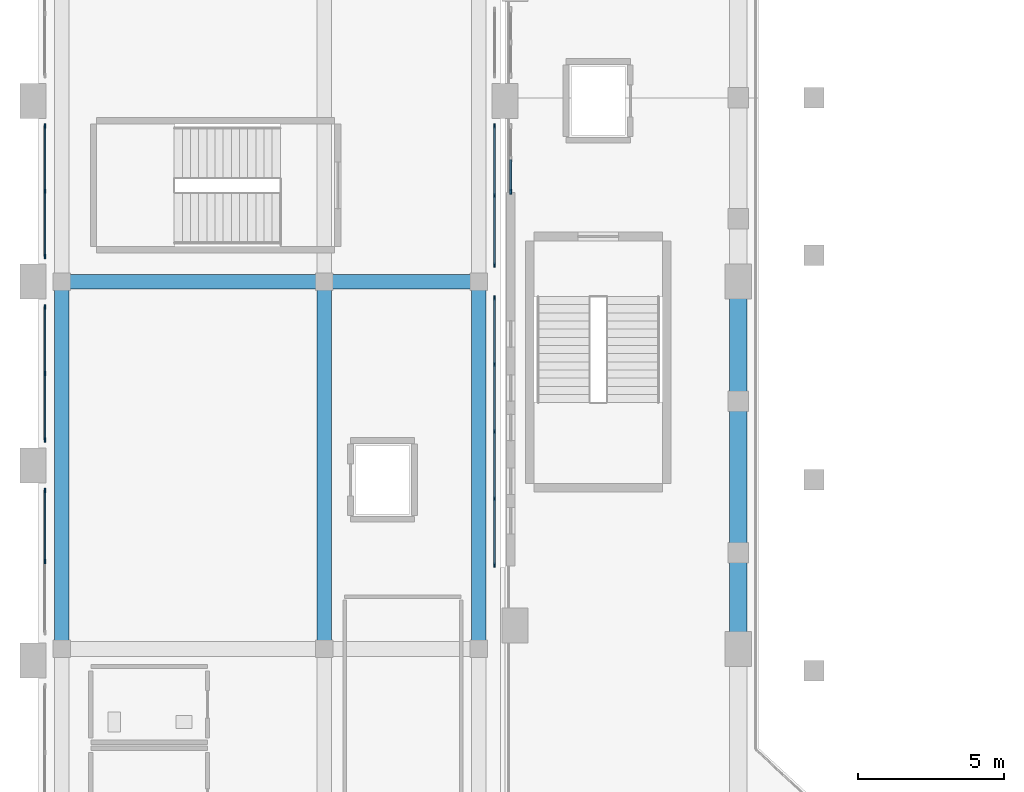
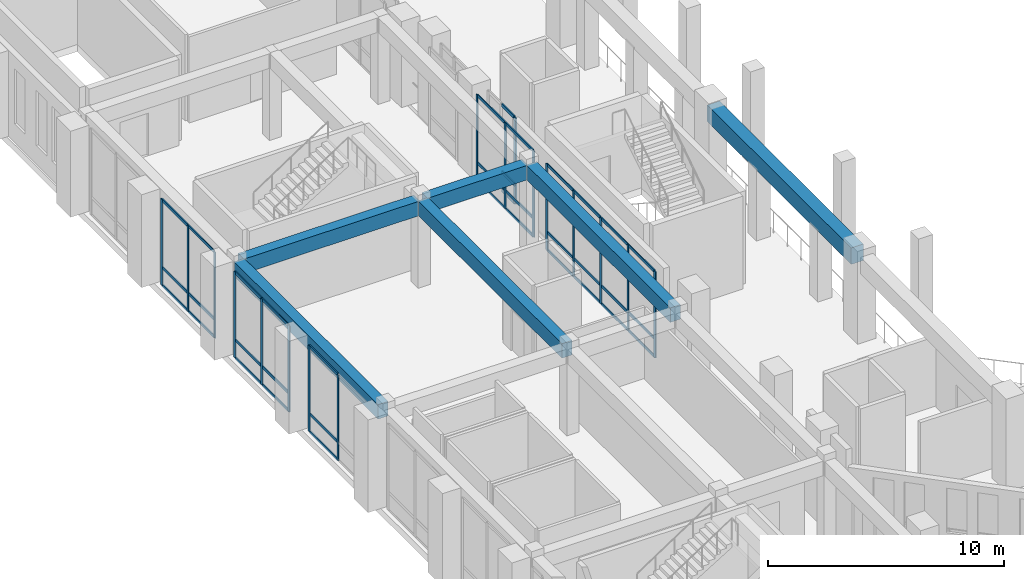
# One storey, part 24 of 126: 53 members, 6 beams, 6 elements without a shape of their own.
"""IFC4 building model written with IfcOpenShell, lengths in metres."""

from ifc_helpers import new_model, si_unit, derived_unit, direction, frame, origin, origin_2d, place, context, subcontext, project, spatial, rectangle, extrude, material, layer, layer_set, material_profile, profile_set, type_object, element, aggregate, save


model = new_model("IFC4")

# Units and contexts
model_context = context("Model", 3, precision=1e-05, world=origin(), true_north=direction((0.0, 1.0)))
body_context = subcontext(model_context, "Body", "Model", "MODEL_VIEW")
ifc_project = project(units=[si_unit("LENGTHUNIT", "METRE"), si_unit("AREAUNIT", "SQUARE_METRE"), si_unit("VOLUMEUNIT", "CUBIC_METRE"), si_unit("PLANEANGLEUNIT", "RADIAN"), si_unit("MASSUNIT", "GRAM", prefix="KILO"), derived_unit("THERMALTRANSMITTANCEUNIT", [(si_unit("MASSUNIT", "GRAM", prefix="KILO"), 1), (si_unit("TIMEUNIT", "SECOND"), -3), (si_unit("THERMODYNAMICTEMPERATUREUNIT", "KELVIN"), -1)])], contexts=[model_context])

# Site, building, storey
site_placement = place(None, origin())
site = spatial("IfcSite", under=ifc_project, at=site_placement, CompositionType="ELEMENT")
building_placement = place(site_placement, origin())
building = spatial("IfcBuilding", under=site, at=building_placement, Name="Valcora Ridge Arena", CompositionType="ELEMENT")
storey_placement = place(building_placement, frame((0.0, 0.0, 11.39990234375)))
storey = spatial("IfcBuildingStorey", under=building, at=storey_placement, Name="L02", CompositionType="ELEMENT", Elevation=11.39990234375)

# Beams
ifc_material_1 = material(Name="Concrete C40/50", Category="concrete")
ifc_material_profile_1 = material_profile(ifc_material_1, rectangle(XDim=0.5, YDim=0.75, at=origin_2d()), Name="RC 500x750")
ifc_profile_set_1 = profile_set([ifc_material_profile_1], Name="Concrete C40/50")
beam_type_1 = type_object("IfcBeamType", Name="TY-BEAM-B-RC500-X", PredefinedType="BEAM", material=ifc_profile_set_1)
beam_1_placement = place(storey_placement, frame((1.0, 57.800048828125, 4.0751953125), z_axis=(1.0, 0.0, 0.0), x_axis=(0.0, 1.0, 0.0)))
element("IfcBeam", 1, at=beam_1_placement, inside=storey, type_object=beam_type_1, Name="B-RC500-X BEM-B-RC500-X-0071", PredefinedType="BEAM", context=body_context, shape_type="SweptSolid", body=[
    extrude(rectangle(XDim=0.5, YDim=0.75, at=origin_2d()), origin(), (0.0, 0.0, 1.0), 8.60009765625),
])
beam_2_placement = place(storey_placement, frame((10.0, 57.800048828125, 4.0751953125), z_axis=(1.0, 0.0, 0.0), x_axis=(0.0, 1.0, 0.0)))
element("IfcBeam", 2, at=beam_2_placement, inside=storey, type_object=beam_type_1, Name="B-RC500-X BEM-B-RC500-X-0072", PredefinedType="BEAM", context=body_context, shape_type="SweptSolid", body=[
    extrude(rectangle(XDim=0.5, YDim=0.75, at=origin_2d()), origin(), (0.0, 0.0, 1.0), 4.89990234375),
])
ifc_material_profile_2 = material_profile(ifc_material_1, rectangle(XDim=0.5, YDim=0.75, at=origin_2d()), Name="RC 500x750")
ifc_profile_set_2 = profile_set([ifc_material_profile_2], Name="Concrete C40/50")
beam_type_2 = type_object("IfcBeamType", Name="TY-BEAM-B-RC500-Y", PredefinedType="BEAM", material=ifc_profile_set_2)
for number, where, z_axis, x_axis, name in (
    (3, (0.800048828125, 45.39990234375, 4.0751953125), (0.0, 1.0, 0.0), (-1.0, 0.0, 0.0), "B-RC500-Y BEM-B-RC500-Y-0071"),
    (4, (9.800048828125, 45.39990234375, 4.0751953125), (0.0, 1.0, 0.0), (-1.0, 0.0, 0.0), "B-RC500-Y BEM-B-RC500-Y-0077"),
    (5, (15.10009765625, 45.39990234375, 4.0751953125), (0.0, 1.0, 0.0), (-1.0, 0.0, 0.0), "B-RC500-Y BEM-B-RC500-Y-0082"),
):
    element("IfcBeam", number, at=place(storey_placement, frame(where, z_axis=z_axis, x_axis=x_axis)), inside=storey, type_object=beam_type_2, Name=name, PredefinedType="BEAM", context=body_context, shape_type="SweptSolid", body=[
        extrude(rectangle(XDim=0.5, YDim=0.75, at=origin_2d()), origin(), (0.0, 0.0, 1.0), 12.2001953125),
    ])
ifc_material_profile_3 = material_profile(ifc_material_1, rectangle(XDim=0.60009765625, YDim=0.85009765625, at=origin_2d()), Name="RC 600x850")
ifc_profile_set_3 = profile_set([ifc_material_profile_3], Name="Concrete C40/50")
beam_type_3 = type_object("IfcBeamType", Name="TY-BEAM-B-RC600-Y", PredefinedType="BEAM", material=ifc_profile_set_3)
beam_3_placement = place(storey_placement, frame((24.0, 45.39990234375, 4.025146484375), z_axis=(0.0, 1.0, 0.0), x_axis=(-1.0, 0.0, 0.0)))
element("IfcBeam", 6, at=beam_3_placement, inside=storey, type_object=beam_type_3, Name="B-RC600-Y BEM-B-RC600-Y-0017", PredefinedType="BEAM", context=body_context, shape_type="SweptSolid", body=[
    extrude(rectangle(XDim=0.60009765625, YDim=0.85009765625, at=origin_2d()), origin(), (0.0, 0.0, 1.0), 12.2001953125),
])

# Curtain wall, members
ifc_material_2 = material(Name="Anodised dark bronze architectural aluminium 6063-T6", Category="aluminium")
ifc_layer_1 = layer(ifc_material_2, 0.14990234375, Name="Anodised dark bronze architectural aluminium 6063-T6")
ifc_layer_set_1 = layer_set([ifc_layer_1], Name="Anodised dark bronze architectural aluminium 6063-T6")
curtain_wall_type_1 = type_object("IfcCurtainWallType", Name="TY-CURTAINWALL-CW-V4-CLUB-049X44", PredefinedType="NOTDEFINED", material=ifc_layer_set_1)
curtain_wall_1_placement = place(storey_placement, origin())
curtain_wall_1 = element("IfcCurtainWall", 7, at=curtain_wall_1_placement, inside=storey, type_object=curtain_wall_type_1, Name="CW-V4-CLUB-049X44 CW-0259", PredefinedType="NOTDEFINED")
ifc_material_profile_4 = material_profile(ifc_material_2, rectangle(XDim=0.050048828125, YDim=0.14990234375, at=origin_2d()), Name="ALU MULLION 50x150")
ifc_profile_set_4 = profile_set([ifc_material_profile_4], Name="Anodised dark bronze architectural aluminium 6063-T6")
member_type_1 = type_object("IfcMemberType", Name="TY-MEM-CWM-50x150", PredefinedType="MULLION", material=ifc_profile_set_4)
member_1_placement = place(storey_placement, frame((0.219970703125, 48.199951171875, 0.0), z_axis=(0.0, 0.0, 1.0), x_axis=(-1.0, 0.0, 0.0)))
member_1 = element("IfcMember", 8, at=member_1_placement, type_object=member_type_1, Name="CW-0259/CWM-50x150/M01", PredefinedType="MULLION", context=body_context, shape_type="SweptSolid", body=[
    extrude(rectangle(XDim=0.050048828125, YDim=0.14990234375, at=origin_2d()), origin(), (0.0, 0.0, 1.0), 4.4501953125),
])
member_2_placement = place(storey_placement, frame((0.219970703125, 50.635009765625, 0.0), z_axis=(0.0, 0.0, 1.0), x_axis=(-1.0, 0.0, 0.0)))
member_2 = element("IfcMember", 9, at=member_2_placement, type_object=member_type_1, Name="CW-0259/CWM-50x150/M02", PredefinedType="MULLION", context=body_context, shape_type="SweptSolid", body=[
    extrude(rectangle(XDim=0.050048828125, YDim=0.14990234375, at=origin_2d()), origin(), (0.0, 0.0, 1.0), 4.4501953125),
])

ifc_layer_2 = layer(ifc_material_2, 0.14990234375, Name="Anodised dark bronze architectural aluminium 6063-T6")
ifc_layer_set_2 = layer_set([ifc_layer_2], Name="Anodised dark bronze architectural aluminium 6063-T6")
curtain_wall_type_2 = type_object("IfcCurtainWallType", Name="TY-CURTAINWALL-CW-V4-CLUB-046X44", PredefinedType="NOTDEFINED", material=ifc_layer_set_2)
curtain_wall_2_placement = place(storey_placement, origin())
curtain_wall_2 = element("IfcCurtainWall", 10, at=curtain_wall_2_placement, inside=storey, type_object=curtain_wall_type_2, Name="CW-V4-CLUB-046X44 CW-0260", PredefinedType="NOTDEFINED")
member_3_placement = place(storey_placement, frame((0.219970703125, 52.364990234375, 0.0), z_axis=(0.0, 0.0, 1.0), x_axis=(-1.0, 0.0, 0.0)))
member_3 = element("IfcMember", 11, at=member_3_placement, type_object=member_type_1, Name="CW-0260/CWM-50x150/M00", PredefinedType="MULLION", context=body_context, shape_type="SweptSolid", body=[
    extrude(rectangle(XDim=0.050048828125, YDim=0.14990234375, at=origin_2d()), origin(), (0.0, 0.0, 1.0), 4.4501953125),
])
member_4_placement = place(storey_placement, frame((0.219970703125, 54.64990234375, 0.0), z_axis=(0.0, 0.0, 1.0), x_axis=(-1.0, 0.0, 0.0)))
member_4 = element("IfcMember", 12, at=member_4_placement, type_object=member_type_1, Name="CW-0260/CWM-50x150/M01", PredefinedType="MULLION", context=body_context, shape_type="SweptSolid", body=[
    extrude(rectangle(XDim=0.050048828125, YDim=0.14990234375, at=origin_2d()), origin(), (0.0, 0.0, 1.0), 4.4501953125),
])
member_5_placement = place(storey_placement, frame((0.219970703125, 56.93505859375, 0.0), z_axis=(0.0, 0.0, 1.0), x_axis=(-1.0, 0.0, 0.0)))
member_5 = element("IfcMember", 13, at=member_5_placement, type_object=member_type_1, Name="CW-0260/CWM-50x150/M02", PredefinedType="MULLION", context=body_context, shape_type="SweptSolid", body=[
    extrude(rectangle(XDim=0.050048828125, YDim=0.14990234375, at=origin_2d()), origin(), (0.0, 0.0, 1.0), 4.4501953125),
])

ifc_layer_3 = layer(ifc_material_2, 0.14990234375, Name="Anodised dark bronze architectural aluminium 6063-T6")
ifc_layer_set_3 = layer_set([ifc_layer_3], Name="Anodised dark bronze architectural aluminium 6063-T6")
curtain_wall_type_3 = type_object("IfcCurtainWallType", Name="TY-CURTAINWALL-CW-V4-CLUB-045X44", PredefinedType="NOTDEFINED", material=ifc_layer_set_3)
curtain_wall_3_placement = place(storey_placement, origin())
curtain_wall_3 = element("IfcCurtainWall", 14, at=curtain_wall_3_placement, inside=storey, type_object=curtain_wall_type_3, Name="CW-V4-CLUB-045X44 CW-0261", PredefinedType="NOTDEFINED")
member_6_placement = place(storey_placement, frame((0.219970703125, 58.6650390625, 0.0), z_axis=(0.0, 0.0, 1.0), x_axis=(-1.0, 0.0, 0.0)))
member_6 = element("IfcMember", 15, at=member_6_placement, type_object=member_type_1, Name="CW-0261/CWM-50x150/M00", PredefinedType="MULLION", context=body_context, shape_type="SweptSolid", body=[
    extrude(rectangle(XDim=0.050048828125, YDim=0.14990234375, at=origin_2d()), origin(), (0.0, 0.0, 1.0), 4.4501953125),
])
member_7_placement = place(storey_placement, frame((0.219970703125, 60.89990234375, 0.0), z_axis=(0.0, 0.0, 1.0), x_axis=(-1.0, 0.0, 0.0)))
member_7 = element("IfcMember", 16, at=member_7_placement, type_object=member_type_1, Name="CW-0261/CWM-50x150/M01", PredefinedType="MULLION", context=body_context, shape_type="SweptSolid", body=[
    extrude(rectangle(XDim=0.050048828125, YDim=0.14990234375, at=origin_2d()), origin(), (0.0, 0.0, 1.0), 4.4501953125),
])
member_8_placement = place(storey_placement, frame((0.219970703125, 63.135009765625, 0.0), z_axis=(0.0, 0.0, 1.0), x_axis=(-1.0, 0.0, 0.0)))
member_8 = element("IfcMember", 17, at=member_8_placement, type_object=member_type_1, Name="CW-0261/CWM-50x150/M02", PredefinedType="MULLION", context=body_context, shape_type="SweptSolid", body=[
    extrude(rectangle(XDim=0.050048828125, YDim=0.14990234375, at=origin_2d()), origin(), (0.0, 0.0, 1.0), 4.4501953125),
])

ifc_layer_4 = layer(ifc_material_2, 0.14990234375, Name="Anodised dark bronze architectural aluminium 6063-T6")
ifc_layer_set_4 = layer_set([ifc_layer_4], Name="Anodised dark bronze architectural aluminium 6063-T6")
curtain_wall_type_4 = type_object("IfcCurtainWallType", Name="TY-CURTAINWALL-CW-V4-CLUB-092X44", PredefinedType="NOTDEFINED", material=ifc_layer_set_4)
curtain_wall_4_placement = place(storey_placement, origin())
curtain_wall_4 = element("IfcCurtainWall", 18, at=curtain_wall_4_placement, inside=storey, type_object=curtain_wall_type_4, Name="CW-V4-CLUB-092X44 CW-0263", PredefinedType="NOTDEFINED")
member_9_placement = place(storey_placement, frame((15.64990234375, 48.074951171875, 0.0), z_axis=(0.0, 0.0, 1.0), x_axis=(-1.0, 0.0, 0.0)))
member_9 = element("IfcMember", 19, at=member_9_placement, type_object=member_type_1, Name="CW-0263/CWM-50x150/M00", PredefinedType="MULLION", context=body_context, shape_type="SweptSolid", body=[
    extrude(rectangle(XDim=0.050048828125, YDim=0.14990234375, at=origin_2d()), origin(), (0.0, 0.0, 1.0), 4.4501953125),
])
member_10_placement = place(storey_placement, frame((15.64990234375, 50.3525390625, 0.0), z_axis=(0.0, 0.0, 1.0), x_axis=(-1.0, 0.0, 0.0)))
member_10 = element("IfcMember", 20, at=member_10_placement, type_object=member_type_1, Name="CW-0263/CWM-50x150/M01", PredefinedType="MULLION", context=body_context, shape_type="SweptSolid", body=[
    extrude(rectangle(XDim=0.050048828125, YDim=0.14990234375, at=origin_2d()), origin(), (0.0, 0.0, 1.0), 4.4501953125),
])
member_11_placement = place(storey_placement, frame((15.64990234375, 52.655029296875, 0.0), z_axis=(0.0, 0.0, 1.0), x_axis=(-1.0, 0.0, 0.0)))
member_11 = element("IfcMember", 21, at=member_11_placement, type_object=member_type_1, Name="CW-0263/CWM-50x150/M02", PredefinedType="MULLION", context=body_context, shape_type="SweptSolid", body=[
    extrude(rectangle(XDim=0.050048828125, YDim=0.14990234375, at=origin_2d()), origin(), (0.0, 0.0, 1.0), 4.4501953125),
])
member_12_placement = place(storey_placement, frame((15.64990234375, 54.95751953125, 0.0), z_axis=(0.0, 0.0, 1.0), x_axis=(-1.0, 0.0, 0.0)))
member_12 = element("IfcMember", 22, at=member_12_placement, type_object=member_type_1, Name="CW-0263/CWM-50x150/M03", PredefinedType="MULLION", context=body_context, shape_type="SweptSolid", body=[
    extrude(rectangle(XDim=0.050048828125, YDim=0.14990234375, at=origin_2d()), origin(), (0.0, 0.0, 1.0), 4.4501953125),
])
member_13_placement = place(storey_placement, frame((15.64990234375, 57.235107421875, 0.0), z_axis=(0.0, 0.0, 1.0), x_axis=(-1.0, 0.0, 0.0)))
member_13 = element("IfcMember", 23, at=member_13_placement, type_object=member_type_1, Name="CW-0263/CWM-50x150/M04", PredefinedType="MULLION", context=body_context, shape_type="SweptSolid", body=[
    extrude(rectangle(XDim=0.050048828125, YDim=0.14990234375, at=origin_2d()), origin(), (0.0, 0.0, 1.0), 4.4501953125),
])

ifc_layer_5 = layer(ifc_material_2, 0.14990234375, Name="Anodised dark bronze architectural aluminium 6063-T6")
ifc_layer_set_5 = layer_set([ifc_layer_5], Name="Anodised dark bronze architectural aluminium 6063-T6")
curtain_wall_type_5 = type_object("IfcCurtainWallType", Name="TY-CURTAINWALL-CW-V4-CLUB-048X44", PredefinedType="NOTDEFINED", material=ifc_layer_set_5)
curtain_wall_5_placement = place(storey_placement, origin())
curtain_wall_5 = element("IfcCurtainWall", 24, at=curtain_wall_5_placement, inside=storey, type_object=curtain_wall_type_5, Name="CW-V4-CLUB-048X44 CW-0264", PredefinedType="NOTDEFINED")
member_14_placement = place(storey_placement, frame((15.64990234375, 58.364990234375, 0.0), z_axis=(0.0, 0.0, 1.0), x_axis=(-1.0, 0.0, 0.0)))
member_14 = element("IfcMember", 25, at=member_14_placement, type_object=member_type_1, Name="CW-0264/CWM-50x150/M00", PredefinedType="MULLION", context=body_context, shape_type="SweptSolid", body=[
    extrude(rectangle(XDim=0.050048828125, YDim=0.14990234375, at=origin_2d()), origin(), (0.0, 0.0, 1.0), 4.4501953125),
])
member_15_placement = place(storey_placement, frame((15.64990234375, 60.75, 0.0), z_axis=(0.0, 0.0, 1.0), x_axis=(-1.0, 0.0, 0.0)))
member_15 = element("IfcMember", 26, at=member_15_placement, type_object=member_type_1, Name="CW-0264/CWM-50x150/M01", PredefinedType="MULLION", context=body_context, shape_type="SweptSolid", body=[
    extrude(rectangle(XDim=0.050048828125, YDim=0.14990234375, at=origin_2d()), origin(), (0.0, 0.0, 1.0), 4.4501953125),
])
member_16_placement = place(storey_placement, frame((15.64990234375, 63.135009765625, 0.0), z_axis=(0.0, 0.0, 1.0), x_axis=(-1.0, 0.0, 0.0)))
member_16 = element("IfcMember", 27, at=member_16_placement, type_object=member_type_1, Name="CW-0264/CWM-50x150/M02", PredefinedType="MULLION", context=body_context, shape_type="SweptSolid", body=[
    extrude(rectangle(XDim=0.050048828125, YDim=0.14990234375, at=origin_2d()), origin(), (0.0, 0.0, 1.0), 4.4501953125),
])

# Curtain wall, member
ifc_layer_6 = layer(ifc_material_2, 0.179931640625, Name="Anodised dark bronze architectural aluminium 6063-T6")
ifc_layer_set_6 = layer_set([ifc_layer_6], Name="Anodised dark bronze architectural aluminium 6063-T6")
curtain_wall_type_6 = type_object("IfcCurtainWallType", Name="TY-CURTAINWALL-CW-V1-GOTH-023X44", PredefinedType="NOTDEFINED", material=ifc_layer_set_6)
curtain_wall_6_placement = place(storey_placement, origin())
curtain_wall_6 = element("IfcCurtainWall", 28, at=curtain_wall_6_placement, inside=storey, type_object=curtain_wall_type_6, Name="CW-V1-GOTH-023X44 CW-0114", PredefinedType="NOTDEFINED")
ifc_material_profile_5 = material_profile(ifc_material_2, rectangle(XDim=0.06005859375, YDim=0.179931640625, at=origin_2d()), Name="ALU MULLION 60x180")
ifc_profile_set_5 = profile_set([ifc_material_profile_5], Name="Anodised dark bronze architectural aluminium 6063-T6")
member_type_2 = type_object("IfcMemberType", Name="TY-MEM-CWM-60x180", PredefinedType="MULLION", material=ifc_profile_set_5)
member_17_placement = place(storey_placement, frame((16.199951171875, 60.8798828125, 0.0), z_axis=(0.0, 0.0, 1.0), x_axis=(-1.0, 0.0, 0.0)))
member_17 = element("IfcMember", 29, at=member_17_placement, type_object=member_type_2, Name="CW-0114/CWM-60x180/M00", PredefinedType="MULLION", context=body_context, shape_type="SweptSolid", body=[
    extrude(rectangle(XDim=0.06005859375, YDim=0.179931640625, at=origin_2d()), origin(), (0.0, 0.0, 1.0), 4.4501953125),
])

# Member
ifc_material_profile_6 = material_profile(ifc_material_2, rectangle(XDim=0.050048828125, YDim=0.14990234375, at=origin_2d()), Name="ALU TRANSOM 50x150")
ifc_profile_set_6 = profile_set([ifc_material_profile_6], Name="Anodised dark bronze architectural aluminium 6063-T6")
member_type_3 = type_object("IfcMemberType", Name="TY-MEM-CWT-50x150", PredefinedType="USERDEFINED", material=ifc_profile_set_6)
member_18_placement = place(storey_placement, frame((0.219970703125, 48.22509765625, 0.025146484375), z_axis=(0.0, 1.0, 0.0), x_axis=(-1.0, 0.0, 0.0)))
member_18 = element("IfcMember", 30, at=member_18_placement, type_object=member_type_3, Name="CW-0259/CWT-50x150/T01-00", ObjectType="TRANSOM", PredefinedType="USERDEFINED", context=body_context, shape_type="SweptSolid", body=[
    extrude(rectangle(XDim=0.050048828125, YDim=0.14990234375, at=origin_2d()), origin(), (0.0, 0.0, 1.0), 2.385009765625),
])

member_19_placement = place(storey_placement, frame((0.219970703125, 48.22509765625, 0.9501953125), z_axis=(0.0, 1.0, 0.0), x_axis=(-1.0, 0.0, 0.0)))
member_19 = element("IfcMember", 31, at=member_19_placement, type_object=member_type_3, Name="CW-0259/CWT-50x150/T01-01", ObjectType="TRANSOM", PredefinedType="USERDEFINED", context=body_context, shape_type="SweptSolid", body=[
    extrude(rectangle(XDim=0.050048828125, YDim=0.14990234375, at=origin_2d()), origin(), (0.0, 0.0, 1.0), 2.385009765625),
])

member_20_placement = place(storey_placement, frame((0.219970703125, 48.22509765625, 4.425048828125), z_axis=(0.0, 1.0, 0.0), x_axis=(-1.0, 0.0, 0.0)))
member_20 = element("IfcMember", 32, at=member_20_placement, type_object=member_type_3, Name="CW-0259/CWT-50x150/T01-02", ObjectType="TRANSOM", PredefinedType="USERDEFINED", context=body_context, shape_type="SweptSolid", body=[
    extrude(rectangle(XDim=0.050048828125, YDim=0.14990234375, at=origin_2d()), origin(), (0.0, 0.0, 1.0), 2.385009765625),
])

aggregate(curtain_wall_1, [member_1, member_2, member_18, member_19, member_20])

member_21_placement = place(storey_placement, frame((0.219970703125, 52.389892578125, 0.025146484375), z_axis=(0.0, 1.0, 0.0), x_axis=(-1.0, 0.0, 0.0)))
member_21 = element("IfcMember", 33, at=member_21_placement, type_object=member_type_3, Name="CW-0260/CWT-50x150/T00-00", ObjectType="TRANSOM", PredefinedType="USERDEFINED", context=body_context, shape_type="SweptSolid", body=[
    extrude(rectangle(XDim=0.050048828125, YDim=0.14990234375, at=origin_2d()), origin(), (0.0, 0.0, 1.0), 2.235107421875),
])

member_22_placement = place(storey_placement, frame((0.219970703125, 52.389892578125, 0.9501953125), z_axis=(0.0, 1.0, 0.0), x_axis=(-1.0, 0.0, 0.0)))
member_22 = element("IfcMember", 34, at=member_22_placement, type_object=member_type_3, Name="CW-0260/CWT-50x150/T00-01", ObjectType="TRANSOM", PredefinedType="USERDEFINED", context=body_context, shape_type="SweptSolid", body=[
    extrude(rectangle(XDim=0.050048828125, YDim=0.14990234375, at=origin_2d()), origin(), (0.0, 0.0, 1.0), 2.235107421875),
])

member_23_placement = place(storey_placement, frame((0.219970703125, 52.389892578125, 4.425048828125), z_axis=(0.0, 1.0, 0.0), x_axis=(-1.0, 0.0, 0.0)))
member_23 = element("IfcMember", 35, at=member_23_placement, type_object=member_type_3, Name="CW-0260/CWT-50x150/T00-02", ObjectType="TRANSOM", PredefinedType="USERDEFINED", context=body_context, shape_type="SweptSolid", body=[
    extrude(rectangle(XDim=0.050048828125, YDim=0.14990234375, at=origin_2d()), origin(), (0.0, 0.0, 1.0), 2.235107421875),
])

member_24_placement = place(storey_placement, frame((0.219970703125, 54.675048828125, 0.025146484375), z_axis=(0.0, 1.0, 0.0), x_axis=(-1.0, 0.0, 0.0)))
member_24 = element("IfcMember", 36, at=member_24_placement, type_object=member_type_3, Name="CW-0260/CWT-50x150/T01-00", ObjectType="TRANSOM", PredefinedType="USERDEFINED", context=body_context, shape_type="SweptSolid", body=[
    extrude(rectangle(XDim=0.050048828125, YDim=0.14990234375, at=origin_2d()), origin(), (0.0, 0.0, 1.0), 2.23486328125),
])

member_25_placement = place(storey_placement, frame((0.219970703125, 54.675048828125, 0.9501953125), z_axis=(0.0, 1.0, 0.0), x_axis=(-1.0, 0.0, 0.0)))
member_25 = element("IfcMember", 37, at=member_25_placement, type_object=member_type_3, Name="CW-0260/CWT-50x150/T01-01", ObjectType="TRANSOM", PredefinedType="USERDEFINED", context=body_context, shape_type="SweptSolid", body=[
    extrude(rectangle(XDim=0.050048828125, YDim=0.14990234375, at=origin_2d()), origin(), (0.0, 0.0, 1.0), 2.23486328125),
])

member_26_placement = place(storey_placement, frame((0.219970703125, 54.675048828125, 4.425048828125), z_axis=(0.0, 1.0, 0.0), x_axis=(-1.0, 0.0, 0.0)))
member_26 = element("IfcMember", 38, at=member_26_placement, type_object=member_type_3, Name="CW-0260/CWT-50x150/T01-02", ObjectType="TRANSOM", PredefinedType="USERDEFINED", context=body_context, shape_type="SweptSolid", body=[
    extrude(rectangle(XDim=0.050048828125, YDim=0.14990234375, at=origin_2d()), origin(), (0.0, 0.0, 1.0), 2.23486328125),
])

aggregate(curtain_wall_2, [member_3, member_4, member_5, member_21, member_22, member_23, member_24, member_25, member_26])

member_27_placement = place(storey_placement, frame((0.219970703125, 58.68994140625, 0.025146484375), z_axis=(0.0, 1.0, 0.0), x_axis=(-1.0, 0.0, 0.0)))
member_27 = element("IfcMember", 39, at=member_27_placement, type_object=member_type_3, Name="CW-0261/CWT-50x150/T00-00", ObjectType="TRANSOM", PredefinedType="USERDEFINED", context=body_context, shape_type="SweptSolid", body=[
    extrude(rectangle(XDim=0.050048828125, YDim=0.14990234375, at=origin_2d()), origin(), (0.0, 0.0, 1.0), 2.18505859375),
])

member_28_placement = place(storey_placement, frame((0.219970703125, 58.68994140625, 0.9501953125), z_axis=(0.0, 1.0, 0.0), x_axis=(-1.0, 0.0, 0.0)))
member_28 = element("IfcMember", 40, at=member_28_placement, type_object=member_type_3, Name="CW-0261/CWT-50x150/T00-01", ObjectType="TRANSOM", PredefinedType="USERDEFINED", context=body_context, shape_type="SweptSolid", body=[
    extrude(rectangle(XDim=0.050048828125, YDim=0.14990234375, at=origin_2d()), origin(), (0.0, 0.0, 1.0), 2.18505859375),
])

member_29_placement = place(storey_placement, frame((0.219970703125, 58.68994140625, 4.425048828125), z_axis=(0.0, 1.0, 0.0), x_axis=(-1.0, 0.0, 0.0)))
member_29 = element("IfcMember", 41, at=member_29_placement, type_object=member_type_3, Name="CW-0261/CWT-50x150/T00-02", ObjectType="TRANSOM", PredefinedType="USERDEFINED", context=body_context, shape_type="SweptSolid", body=[
    extrude(rectangle(XDim=0.050048828125, YDim=0.14990234375, at=origin_2d()), origin(), (0.0, 0.0, 1.0), 2.18505859375),
])

member_30_placement = place(storey_placement, frame((0.219970703125, 60.925048828125, 0.025146484375), z_axis=(0.0, 1.0, 0.0), x_axis=(-1.0, 0.0, 0.0)))
member_30 = element("IfcMember", 42, at=member_30_placement, type_object=member_type_3, Name="CW-0261/CWT-50x150/T01-00", ObjectType="TRANSOM", PredefinedType="USERDEFINED", context=body_context, shape_type="SweptSolid", body=[
    extrude(rectangle(XDim=0.050048828125, YDim=0.14990234375, at=origin_2d()), origin(), (0.0, 0.0, 1.0), 2.18505859375),
])

member_31_placement = place(storey_placement, frame((0.219970703125, 60.925048828125, 0.9501953125), z_axis=(0.0, 1.0, 0.0), x_axis=(-1.0, 0.0, 0.0)))
member_31 = element("IfcMember", 43, at=member_31_placement, type_object=member_type_3, Name="CW-0261/CWT-50x150/T01-01", ObjectType="TRANSOM", PredefinedType="USERDEFINED", context=body_context, shape_type="SweptSolid", body=[
    extrude(rectangle(XDim=0.050048828125, YDim=0.14990234375, at=origin_2d()), origin(), (0.0, 0.0, 1.0), 2.18505859375),
])

member_32_placement = place(storey_placement, frame((0.219970703125, 60.925048828125, 4.425048828125), z_axis=(0.0, 1.0, 0.0), x_axis=(-1.0, 0.0, 0.0)))
member_32 = element("IfcMember", 44, at=member_32_placement, type_object=member_type_3, Name="CW-0261/CWT-50x150/T01-02", ObjectType="TRANSOM", PredefinedType="USERDEFINED", context=body_context, shape_type="SweptSolid", body=[
    extrude(rectangle(XDim=0.050048828125, YDim=0.14990234375, at=origin_2d()), origin(), (0.0, 0.0, 1.0), 2.18505859375),
])

aggregate(curtain_wall_3, [member_6, member_7, member_8, member_27, member_28, member_29, member_30, member_31, member_32])

member_33_placement = place(storey_placement, frame((15.64990234375, 48.10009765625, 0.025146484375), z_axis=(0.0, 1.0, 0.0), x_axis=(-1.0, 0.0, 0.0)))
member_33 = element("IfcMember", 45, at=member_33_placement, type_object=member_type_3, Name="CW-0263/CWT-50x150/T00-00", ObjectType="TRANSOM", PredefinedType="USERDEFINED", context=body_context, shape_type="SweptSolid", body=[
    extrude(rectangle(XDim=0.050048828125, YDim=0.14990234375, at=origin_2d()), origin(), (0.0, 0.0, 1.0), 2.227783203125),
])

member_34_placement = place(storey_placement, frame((15.64990234375, 48.10009765625, 0.9501953125), z_axis=(0.0, 1.0, 0.0), x_axis=(-1.0, 0.0, 0.0)))
member_34 = element("IfcMember", 46, at=member_34_placement, type_object=member_type_3, Name="CW-0263/CWT-50x150/T00-01", ObjectType="TRANSOM", PredefinedType="USERDEFINED", context=body_context, shape_type="SweptSolid", body=[
    extrude(rectangle(XDim=0.050048828125, YDim=0.14990234375, at=origin_2d()), origin(), (0.0, 0.0, 1.0), 2.227783203125),
])

member_35_placement = place(storey_placement, frame((15.64990234375, 48.10009765625, 4.425048828125), z_axis=(0.0, 1.0, 0.0), x_axis=(-1.0, 0.0, 0.0)))
member_35 = element("IfcMember", 47, at=member_35_placement, type_object=member_type_3, Name="CW-0263/CWT-50x150/T00-02", ObjectType="TRANSOM", PredefinedType="USERDEFINED", context=body_context, shape_type="SweptSolid", body=[
    extrude(rectangle(XDim=0.050048828125, YDim=0.14990234375, at=origin_2d()), origin(), (0.0, 0.0, 1.0), 2.227783203125),
])

member_36_placement = place(storey_placement, frame((15.64990234375, 50.3779296875, 0.025146484375), z_axis=(0.0, 1.0, 0.0), x_axis=(-1.0, 0.0, 0.0)))
member_36 = element("IfcMember", 48, at=member_36_placement, type_object=member_type_3, Name="CW-0263/CWT-50x150/T01-00", ObjectType="TRANSOM", PredefinedType="USERDEFINED", context=body_context, shape_type="SweptSolid", body=[
    extrude(rectangle(XDim=0.050048828125, YDim=0.14990234375, at=origin_2d()), origin(), (0.0, 0.0, 1.0), 2.251953125),
])

member_37_placement = place(storey_placement, frame((15.64990234375, 50.3779296875, 0.9501953125), z_axis=(0.0, 1.0, 0.0), x_axis=(-1.0, 0.0, 0.0)))
member_37 = element("IfcMember", 49, at=member_37_placement, type_object=member_type_3, Name="CW-0263/CWT-50x150/T01-01", ObjectType="TRANSOM", PredefinedType="USERDEFINED", context=body_context, shape_type="SweptSolid", body=[
    extrude(rectangle(XDim=0.050048828125, YDim=0.14990234375, at=origin_2d()), origin(), (0.0, 0.0, 1.0), 2.251953125),
])

member_38_placement = place(storey_placement, frame((15.64990234375, 50.3779296875, 4.425048828125), z_axis=(0.0, 1.0, 0.0), x_axis=(-1.0, 0.0, 0.0)))
member_38 = element("IfcMember", 50, at=member_38_placement, type_object=member_type_3, Name="CW-0263/CWT-50x150/T01-02", ObjectType="TRANSOM", PredefinedType="USERDEFINED", context=body_context, shape_type="SweptSolid", body=[
    extrude(rectangle(XDim=0.050048828125, YDim=0.14990234375, at=origin_2d()), origin(), (0.0, 0.0, 1.0), 2.251953125),
])

member_39_placement = place(storey_placement, frame((15.64990234375, 52.679931640625, 0.025146484375), z_axis=(0.0, 1.0, 0.0), x_axis=(-1.0, 0.0, 0.0)))
member_39 = element("IfcMember", 51, at=member_39_placement, type_object=member_type_3, Name="CW-0263/CWT-50x150/T02-00", ObjectType="TRANSOM", PredefinedType="USERDEFINED", context=body_context, shape_type="SweptSolid", body=[
    extrude(rectangle(XDim=0.050048828125, YDim=0.14990234375, at=origin_2d()), origin(), (0.0, 0.0, 1.0), 2.253173828125),
])

member_40_placement = place(storey_placement, frame((15.64990234375, 52.679931640625, 0.9501953125), z_axis=(0.0, 1.0, 0.0), x_axis=(-1.0, 0.0, 0.0)))
member_40 = element("IfcMember", 52, at=member_40_placement, type_object=member_type_3, Name="CW-0263/CWT-50x150/T02-01", ObjectType="TRANSOM", PredefinedType="USERDEFINED", context=body_context, shape_type="SweptSolid", body=[
    extrude(rectangle(XDim=0.050048828125, YDim=0.14990234375, at=origin_2d()), origin(), (0.0, 0.0, 1.0), 2.253173828125),
])

member_41_placement = place(storey_placement, frame((15.64990234375, 52.679931640625, 4.425048828125), z_axis=(0.0, 1.0, 0.0), x_axis=(-1.0, 0.0, 0.0)))
member_41 = element("IfcMember", 53, at=member_41_placement, type_object=member_type_3, Name="CW-0263/CWT-50x150/T02-02", ObjectType="TRANSOM", PredefinedType="USERDEFINED", context=body_context, shape_type="SweptSolid", body=[
    extrude(rectangle(XDim=0.050048828125, YDim=0.14990234375, at=origin_2d()), origin(), (0.0, 0.0, 1.0), 2.253173828125),
])

member_42_placement = place(storey_placement, frame((15.64990234375, 54.98291015625, 0.025146484375), z_axis=(0.0, 1.0, 0.0), x_axis=(-1.0, 0.0, 0.0)))
member_42 = element("IfcMember", 54, at=member_42_placement, type_object=member_type_3, Name="CW-0263/CWT-50x150/T03-00", ObjectType="TRANSOM", PredefinedType="USERDEFINED", context=body_context, shape_type="SweptSolid", body=[
    extrude(rectangle(XDim=0.050048828125, YDim=0.14990234375, at=origin_2d()), origin(), (0.0, 0.0, 1.0), 2.22705078125),
])

member_43_placement = place(storey_placement, frame((15.64990234375, 54.98291015625, 0.9501953125), z_axis=(0.0, 1.0, 0.0), x_axis=(-1.0, 0.0, 0.0)))
member_43 = element("IfcMember", 55, at=member_43_placement, type_object=member_type_3, Name="CW-0263/CWT-50x150/T03-01", ObjectType="TRANSOM", PredefinedType="USERDEFINED", context=body_context, shape_type="SweptSolid", body=[
    extrude(rectangle(XDim=0.050048828125, YDim=0.14990234375, at=origin_2d()), origin(), (0.0, 0.0, 1.0), 2.22705078125),
])

member_44_placement = place(storey_placement, frame((15.64990234375, 54.98291015625, 4.425048828125), z_axis=(0.0, 1.0, 0.0), x_axis=(-1.0, 0.0, 0.0)))
member_44 = element("IfcMember", 56, at=member_44_placement, type_object=member_type_3, Name="CW-0263/CWT-50x150/T03-02", ObjectType="TRANSOM", PredefinedType="USERDEFINED", context=body_context, shape_type="SweptSolid", body=[
    extrude(rectangle(XDim=0.050048828125, YDim=0.14990234375, at=origin_2d()), origin(), (0.0, 0.0, 1.0), 2.22705078125),
])

aggregate(curtain_wall_4, [member_9, member_10, member_11, member_12, member_13, member_33, member_34, member_35, member_36, member_37, member_38, member_39, member_40, member_41, member_42, member_43, member_44])

member_45_placement = place(storey_placement, frame((15.64990234375, 58.389892578125, 0.025146484375), z_axis=(0.0, 1.0, 0.0), x_axis=(-1.0, 0.0, 0.0)))
member_45 = element("IfcMember", 57, at=member_45_placement, type_object=member_type_3, Name="CW-0264/CWT-50x150/T00-00", ObjectType="TRANSOM", PredefinedType="USERDEFINED", context=body_context, shape_type="SweptSolid", body=[
    extrude(rectangle(XDim=0.050048828125, YDim=0.14990234375, at=origin_2d()), origin(), (0.0, 0.0, 1.0), 2.335205078125),
])

member_46_placement = place(storey_placement, frame((15.64990234375, 58.389892578125, 0.9501953125), z_axis=(0.0, 1.0, 0.0), x_axis=(-1.0, 0.0, 0.0)))
member_46 = element("IfcMember", 58, at=member_46_placement, type_object=member_type_3, Name="CW-0264/CWT-50x150/T00-01", ObjectType="TRANSOM", PredefinedType="USERDEFINED", context=body_context, shape_type="SweptSolid", body=[
    extrude(rectangle(XDim=0.050048828125, YDim=0.14990234375, at=origin_2d()), origin(), (0.0, 0.0, 1.0), 2.335205078125),
])

member_47_placement = place(storey_placement, frame((15.64990234375, 58.389892578125, 4.425048828125), z_axis=(0.0, 1.0, 0.0), x_axis=(-1.0, 0.0, 0.0)))
member_47 = element("IfcMember", 59, at=member_47_placement, type_object=member_type_3, Name="CW-0264/CWT-50x150/T00-02", ObjectType="TRANSOM", PredefinedType="USERDEFINED", context=body_context, shape_type="SweptSolid", body=[
    extrude(rectangle(XDim=0.050048828125, YDim=0.14990234375, at=origin_2d()), origin(), (0.0, 0.0, 1.0), 2.335205078125),
])

member_48_placement = place(storey_placement, frame((15.64990234375, 60.77490234375, 0.025146484375), z_axis=(0.0, 1.0, 0.0), x_axis=(-1.0, 0.0, 0.0)))
member_48 = element("IfcMember", 60, at=member_48_placement, type_object=member_type_3, Name="CW-0264/CWT-50x150/T01-00", ObjectType="TRANSOM", PredefinedType="USERDEFINED", context=body_context, shape_type="SweptSolid", body=[
    extrude(rectangle(XDim=0.050048828125, YDim=0.14990234375, at=origin_2d()), origin(), (0.0, 0.0, 1.0), 2.335205078125),
])

member_49_placement = place(storey_placement, frame((15.64990234375, 60.77490234375, 0.9501953125), z_axis=(0.0, 1.0, 0.0), x_axis=(-1.0, 0.0, 0.0)))
member_49 = element("IfcMember", 61, at=member_49_placement, type_object=member_type_3, Name="CW-0264/CWT-50x150/T01-01", ObjectType="TRANSOM", PredefinedType="USERDEFINED", context=body_context, shape_type="SweptSolid", body=[
    extrude(rectangle(XDim=0.050048828125, YDim=0.14990234375, at=origin_2d()), origin(), (0.0, 0.0, 1.0), 2.335205078125),
])

member_50_placement = place(storey_placement, frame((15.64990234375, 60.77490234375, 4.425048828125), z_axis=(0.0, 1.0, 0.0), x_axis=(-1.0, 0.0, 0.0)))
member_50 = element("IfcMember", 62, at=member_50_placement, type_object=member_type_3, Name="CW-0264/CWT-50x150/T01-02", ObjectType="TRANSOM", PredefinedType="USERDEFINED", context=body_context, shape_type="SweptSolid", body=[
    extrude(rectangle(XDim=0.050048828125, YDim=0.14990234375, at=origin_2d()), origin(), (0.0, 0.0, 1.0), 2.335205078125),
])

aggregate(curtain_wall_5, [member_14, member_15, member_16, member_45, member_46, member_47, member_48, member_49, member_50])

ifc_material_profile_7 = material_profile(ifc_material_2, rectangle(XDim=0.06005859375, YDim=0.179931640625, at=origin_2d()), Name="ALU TRANSOM 60x180")
ifc_profile_set_7 = profile_set([ifc_material_profile_7], Name="Anodised dark bronze architectural aluminium 6063-T6")
member_type_4 = type_object("IfcMemberType", Name="TY-MEM-CWT-60x180", PredefinedType="USERDEFINED", material=ifc_profile_set_7)
member_51_placement = place(storey_placement, frame((16.199951171875, 60.909912109375, 0.030029296875), z_axis=(0.0, 1.0, 0.0), x_axis=(-1.0, 0.0, 0.0)))
member_51 = element("IfcMember", 63, at=member_51_placement, type_object=member_type_4, Name="CW-0114/CWT-60x180/T00-00", ObjectType="TRANSOM", PredefinedType="USERDEFINED", context=body_context, shape_type="SweptSolid", body=[
    extrude(rectangle(XDim=0.06005859375, YDim=0.179931640625, at=origin_2d()), origin(), (0.0, 0.0, 1.0), 1.065185546875),
])

member_52_placement = place(storey_placement, frame((16.199951171875, 60.909912109375, 0.9501953125), z_axis=(0.0, 1.0, 0.0), x_axis=(-1.0, 0.0, 0.0)))
member_52 = element("IfcMember", 64, at=member_52_placement, type_object=member_type_4, Name="CW-0114/CWT-60x180/T00-01", ObjectType="TRANSOM", PredefinedType="USERDEFINED", context=body_context, shape_type="SweptSolid", body=[
    extrude(rectangle(XDim=0.06005859375, YDim=0.179931640625, at=origin_2d()), origin(), (0.0, 0.0, 1.0), 1.065185546875),
])

member_53_placement = place(storey_placement, frame((16.199951171875, 60.909912109375, 4.420166015625), z_axis=(0.0, 1.0, 0.0), x_axis=(-1.0, 0.0, 0.0)))
member_53 = element("IfcMember", 65, at=member_53_placement, type_object=member_type_4, Name="CW-0114/CWT-60x180/T00-02", ObjectType="TRANSOM", PredefinedType="USERDEFINED", context=body_context, shape_type="SweptSolid", body=[
    extrude(rectangle(XDim=0.06005859375, YDim=0.179931640625, at=origin_2d()), origin(), (0.0, 0.0, 1.0), 1.065185546875),
])

aggregate(curtain_wall_6, [member_17, member_51, member_52, member_53])

save(model, "model.ifc")
